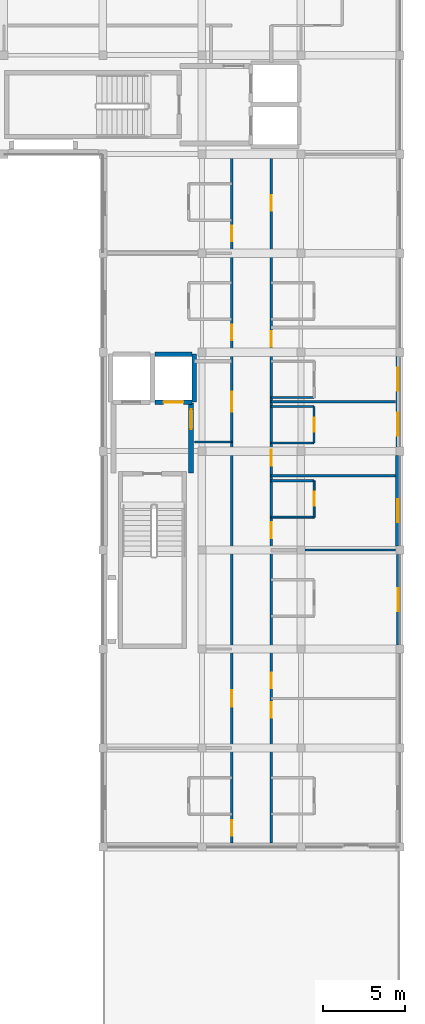
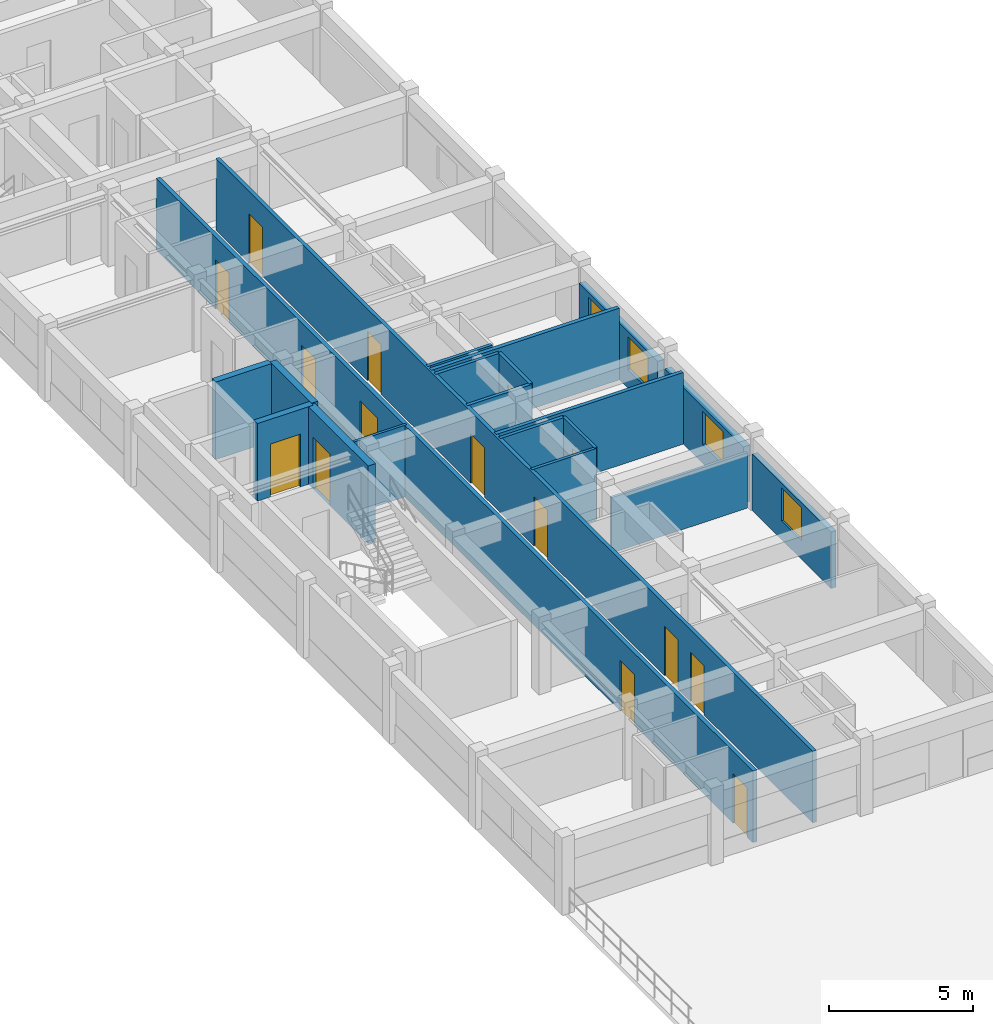
# One storey, part 5 of 14: 20 walls, 15 doors, 4 windows, 19 openings.
"""IFC4 building model written with IfcOpenShell, lengths in metres."""

from ifc_helpers import new_model, si_unit, direction, frame, frame_2d, origin, place, context, subcontext, project, spatial, rectangle, extrude, material, layer, layer_set, type_object, element, fill, save


model = new_model("IFC4")

# Units and contexts
model_context = context("Model", 3, precision=1e-05, world=origin(), true_north=direction((0.0, 1.0)))
body_context = subcontext(model_context, "Body", "Model", "MODEL_VIEW")
ifc_project = project(units=[si_unit("LENGTHUNIT", "METRE"), si_unit("AREAUNIT", "SQUARE_METRE"), si_unit("VOLUMEUNIT", "CUBIC_METRE"), si_unit("PLANEANGLEUNIT", "RADIAN"), si_unit("MASSUNIT", "GRAM", prefix="KILO"), si_unit("THERMODYNAMICTEMPERATUREUNIT", "KELVIN"), si_unit("POWERUNIT", "WATT")], contexts=[model_context])

# Site, building, storey
site_placement = place(None, origin())
site = spatial("IfcSite", under=ifc_project, at=site_placement, CompositionType="ELEMENT")
building_placement = place(site_placement, origin())
building = spatial("IfcBuilding", under=site, at=building_placement, Name="Phaisarnlok Congress Hotel", CompositionType="ELEMENT")
storey_placement = place(building_placement, frame((0.0, 0.0, 44.699951171875)))
storey = spatial("IfcBuildingStorey", under=building, at=storey_placement, Name="L11", CompositionType="ELEMENT", Elevation=44.699951171875)

# Wall, opening, window
ifc_material_1 = material(Name="Concrete C40/50", Category="concrete")
ifc_layer_1 = layer(ifc_material_1, 0.2099609375, Name="Concrete C40/50")
ifc_layer_set_1 = layer_set([ifc_layer_1], Name="Concrete C40/50")
wall_type_1 = type_object("IfcWallType", Name="WL-EXT-210", PredefinedType="SOLIDWALL", material=ifc_layer_set_1)
wall_1_placement = place(storey_placement, frame((179.89501953125, 78.2548828125, 0.0), z_axis=(0.0, 0.0, 1.0), x_axis=(0.0, 1.0, 0.0)))
wall_1 = element("IfcWall", 1, at=wall_1_placement, inside=storey, type_object=wall_type_1, Name="Exterior wall EW-07 (L11)", PredefinedType="SOLIDWALL", context=body_context, shape_type="SweptSolid", body=[
    extrude(rectangle(XDim=5.490234375, YDim=0.2099609375, at=frame_2d((2.7451171875, 0.0))), origin(), (0.0, 0.0, 1.0), 2.400146484375),
])
opening_1_placement = place(wall_1_placement, frame((2.044921875, 0.0, 0.800048828125)))
opening_1 = element("IfcOpeningElement", 2, at=opening_1_placement, cuts=wall_1, Name="Opening W-13", PredefinedType="OPENING", context=body_context, shape_type="SweptSolid", body=[
    extrude(rectangle(XDim=1.39990234375, YDim=1.39990234375, at=frame_2d((0.699951171875, 0.699951171875))), frame((0.0, 0.114990234375, 0.0), z_axis=(0.0, -1.0, 0.0), x_axis=(1.0, 0.0, 0.0)), (0.0, 0.0, 1.0), 0.22998046875),
])
ifc_material_2 = material(Name="Thermally Broken Aluminium & Low-E Double Glazing", Category="aluminium")
window_type = type_object("IfcWindowType", Name="WIN-POD-1400", PartitioningType="SINGLE_PANEL", PredefinedType="WINDOW", material=ifc_material_2)
window_1_placement = place(opening_1_placement, origin())
window_1 = element("IfcWindow", 3, at=window_1_placement, inside=storey, type_object=window_type, Name="Guestroom window W-13 (L11)", OverallHeight=1.39990234375, OverallWidth=1.39990234375, PartitioningType="SINGLE_PANEL", PredefinedType="WINDOW", context=body_context, shape_type="SweptSolid", body=[
    extrude(rectangle(XDim=1.39990234375, YDim=1.39990234375, at=frame_2d((0.699951171875, 0.699951171875))), frame((0.0, 0.030029296875, 0.0), z_axis=(0.0, -1.0, 0.0), x_axis=(1.0, 0.0, 0.0)), (0.0, 0.0, 1.0), 0.06005859375),
])
fill(opening_1, window_1)

# Wall, openings, windows
ifc_layer_2 = layer(ifc_material_1, 0.25, Name="Concrete C40/50")
ifc_layer_set_2 = layer_set([ifc_layer_2], Name="Concrete C40/50")
wall_type_2 = type_object("IfcWallType", Name="WL-EXT-250", PredefinedType="SOLIDWALL", material=ifc_layer_set_2)
wall_2_placement = place(storey_placement, frame((179.875, 90.2548828125, 0.0), z_axis=(0.0, 0.0, 1.0), x_axis=(0.0, 1.0, 0.0)))
wall_2 = element("IfcWall", 4, at=wall_2_placement, inside=storey, type_object=wall_type_2, Name="Exterior wall EW-05 (L11)", PredefinedType="SOLIDWALL", context=body_context, shape_type="SweptSolid", body=[
    extrude(rectangle(XDim=5.490234375, YDim=0.25, at=frame_2d((2.7451171875, 0.0))), origin(), (0.0, 0.0, 1.0), 2.400146484375),
])
opening_2_placement = place(wall_2_placement, frame((0.681884765625, 0.0, 0.800048828125)))
opening_2 = element("IfcOpeningElement", 5, at=opening_2_placement, cuts=wall_2, Name="Opening W-13", PredefinedType="OPENING", context=body_context, shape_type="SweptSolid", body=[
    extrude(rectangle(XDim=1.39990234375, YDim=1.39990234375, at=frame_2d((0.699951171875, 0.699951171875))), frame((0.0, 0.135009765625, 0.0), z_axis=(0.0, -1.0, 0.0), x_axis=(1.0, 0.0, 0.0)), (0.0, 0.0, 1.0), 0.27001953125),
])
opening_3_placement = place(wall_2_placement, frame((3.407958984375, 0.0, 0.800048828125)))
opening_3 = element("IfcOpeningElement", 6, at=opening_3_placement, cuts=wall_2, Name="Opening W-13", PredefinedType="OPENING", context=body_context, shape_type="SweptSolid", body=[
    extrude(rectangle(XDim=1.39990234375, YDim=1.39990234375, at=frame_2d((0.699951171875, 0.699951171875))), frame((0.0, 0.135009765625, 0.0), z_axis=(0.0, -1.0, 0.0), x_axis=(1.0, 0.0, 0.0)), (0.0, 0.0, 1.0), 0.27001953125),
])
window_2_placement = place(opening_2_placement, origin())
window_2 = element("IfcWindow", 7, at=window_2_placement, inside=storey, type_object=window_type, Name="Guestroom window W-13 (L11)", OverallHeight=1.39990234375, OverallWidth=1.39990234375, PartitioningType="SINGLE_PANEL", PredefinedType="WINDOW", context=body_context, shape_type="SweptSolid", body=[
    extrude(rectangle(XDim=1.39990234375, YDim=1.39990234375, at=frame_2d((0.699951171875, 0.699951171875))), frame((0.0, 0.030029296875, 0.0), z_axis=(0.0, -1.0, 0.0), x_axis=(1.0, 0.0, 0.0)), (0.0, 0.0, 1.0), 0.06005859375),
])
fill(opening_2, window_2)
window_3_placement = place(opening_3_placement, origin())
window_3 = element("IfcWindow", 8, at=window_3_placement, inside=storey, type_object=window_type, Name="Guestroom window W-13 (L11)", OverallHeight=1.39990234375, OverallWidth=1.39990234375, PartitioningType="SINGLE_PANEL", PredefinedType="WINDOW", context=body_context, shape_type="SweptSolid", body=[
    extrude(rectangle(XDim=1.39990234375, YDim=1.39990234375, at=frame_2d((0.699951171875, 0.699951171875))), frame((0.0, 0.030029296875, 0.0), z_axis=(0.0, -1.0, 0.0), x_axis=(1.0, 0.0, 0.0)), (0.0, 0.0, 1.0), 0.06005859375),
])
fill(opening_3, window_3)

# Wall, opening, window
ifc_layer_3 = layer(ifc_material_1, 0.27001953125, Name="Concrete C40/50")
ifc_layer_set_3 = layer_set([ifc_layer_3], Name="Concrete C40/50")
wall_type_3 = type_object("IfcWallType", Name="WL-EXT-270", PredefinedType="SOLIDWALL", material=ifc_layer_set_3)
wall_3_placement = place(storey_placement, frame((179.864990234375, 84.2548828125, 0.0), z_axis=(0.0, 0.0, 1.0), x_axis=(0.0, 1.0, 0.0)))
wall_3 = element("IfcWall", 9, at=wall_3_placement, inside=storey, type_object=wall_type_3, Name="Exterior wall EW-04 (L11)", PredefinedType="SOLIDWALL", context=body_context, shape_type="SweptSolid", body=[
    extrude(rectangle(XDim=5.490234375, YDim=0.27001953125, at=frame_2d((2.7451171875, 0.0))), origin(), (0.0, 0.0, 1.0), 2.400146484375),
])
opening_4_placement = place(wall_3_placement, frame((1.431884765625, 0.0, 0.800048828125)))
opening_4 = element("IfcOpeningElement", 10, at=opening_4_placement, cuts=wall_3, Name="Opening W-13", PredefinedType="OPENING", context=body_context, shape_type="SweptSolid", body=[
    extrude(rectangle(XDim=1.39990234375, YDim=1.39990234375, at=frame_2d((0.699951171875, 0.699951171875))), frame((0.0, 0.14501953125, 0.0), z_axis=(0.0, -1.0, 0.0), x_axis=(1.0, 0.0, 0.0)), (0.0, 0.0, 1.0), 0.2900390625),
])
window_4_placement = place(opening_4_placement, origin())
window_4 = element("IfcWindow", 11, at=window_4_placement, inside=storey, type_object=window_type, Name="Guestroom window W-13 (L11)", OverallHeight=1.39990234375, OverallWidth=1.39990234375, PartitioningType="SINGLE_PANEL", PredefinedType="WINDOW", context=body_context, shape_type="SweptSolid", body=[
    extrude(rectangle(XDim=1.39990234375, YDim=1.39990234375, at=frame_2d((0.699951171875, 0.699951171875))), frame((0.0, 0.030029296875, 0.0), z_axis=(0.0, -1.0, 0.0), x_axis=(1.0, 0.0, 0.0)), (0.0, 0.0, 1.0), 0.06005859375),
])
fill(opening_4, window_4)

# Walls
ifc_material_3 = material(Name="Service Riser Shaftwall Partition", Category="gypsum")
ifc_layer_4 = layer(ifc_material_3, 0.10498046875, Name="Service Riser Shaftwall Partition")
ifc_layer_set_4 = layer_set([ifc_layer_4], Name="Service Riser Shaftwall Partition")
wall_type_4 = type_object("IfcWallType", Name="WL-INT-105", PredefinedType="PARTITIONING", material=ifc_layer_set_4)
wall_4_placement = place(storey_placement, frame((174.2548828125, 84.0, 0.0), z_axis=(0.0, 0.0, 1.0), x_axis=(1.0, 0.0, 0.0)))
element("IfcWall", 12, at=wall_4_placement, inside=storey, type_object=wall_type_4, Name="Interior partition wall IW-08 (L11)", PredefinedType="PARTITIONING", context=body_context, shape_type="SweptSolid", body=[
    extrude(rectangle(XDim=5.465087890625, YDim=0.10498046875, at=frame_2d((2.732421875, 0.0))), origin(), (0.0, 0.0, 1.0), 2.35009765625),
])
wall_5_placement = place(storey_placement, frame((167.56005859375, 90.550048828125, 0.0), z_axis=(0.0, 0.0, 1.0), x_axis=(1.0, 0.0, 0.0)))
element("IfcWall", 13, at=wall_5_placement, inside=storey, type_object=wall_type_4, Name="Interior partition wall IW-08 (L11)", PredefinedType="PARTITIONING", context=body_context, shape_type="SweptSolid", body=[
    extrude(rectangle(XDim=2.239990234375, YDim=0.10498046875, at=frame_2d((1.1201171875, 0.0))), origin(), (0.0, 0.0, 1.0), 3.050048828125),
])

# Wall, opening, door
ifc_material_4 = material(Name="Lightweight Metal-Stud Gypsum Partition", Category="gypsum")
ifc_layer_5 = layer(ifc_material_4, 0.1201171875, Name="Lightweight Metal-Stud Gypsum Partition")
ifc_layer_set_5 = layer_set([ifc_layer_5], Name="Lightweight Metal-Stud Gypsum Partition")
wall_type_5 = type_object("IfcWallType", Name="WL-INT-120", PredefinedType="PARTITIONING", material=ifc_layer_set_5)
wall_6_placement = place(storey_placement, frame((174.800048828125, 86.0, 0.0), z_axis=(0.0, 0.0, 1.0), x_axis=(0.0, 1.0, 0.0)))
wall_6 = element("IfcWall", 14, at=wall_6_placement, inside=storey, type_object=wall_type_5, Name="Interior partition wall IW-07 (L11)", PredefinedType="PARTITIONING", context=body_context, shape_type="SweptSolid", body=[
    extrude(rectangle(XDim=2.199951171875, YDim=0.1201171875, at=frame_2d((1.10009765625, 0.0))), origin(), (0.0, 0.0, 1.0), 3.050048828125),
])
opening_5_placement = place(wall_6_placement, frame((0.675048828125, 0.0, 0.0)))
opening_5 = element("IfcOpeningElement", 15, at=opening_5_placement, cuts=wall_6, Name="Opening D-0658", PredefinedType="OPENING", context=body_context, shape_type="SweptSolid", body=[
    extrude(rectangle(XDim=0.85009765625, YDim=2.10009765625, at=frame_2d((0.425048828125, 1.050048828125))), frame((0.0, 0.070068359375, 0.0), z_axis=(0.0, -1.0, 0.0), x_axis=(1.0, 0.0, 0.0)), (0.0, 0.0, 1.0), 0.14013671875),
])
ifc_material_5 = material(Name="Moisture-Resistant Lacquered Timber", Category="wood")
door_type_1 = type_object("IfcDoorType", Name="DR-BATH-850", OperationType="NOTDEFINED", PredefinedType="DOOR", material=ifc_material_5)
door_1_placement = place(opening_5_placement, origin())
door_1 = element("IfcDoor", 16, at=door_1_placement, inside=storey, type_object=door_type_1, Name="Interior door D-0658 (L11)", OperationType="SINGLE_SWING_RIGHT", OverallHeight=2.10009765625, OverallWidth=0.85009765625, PredefinedType="DOOR", context=body_context, shape_type="SweptSolid", body=[
    extrude(rectangle(XDim=0.85009765625, YDim=2.10009765625, at=frame_2d((0.425048828125, 1.050048828125))), frame((0.0, 0.02490234375, 0.0), z_axis=(0.0, -1.0, 0.0), x_axis=(1.0, 0.0, 0.0)), (0.0, 0.0, 1.0), 0.050048828125),
])
fill(opening_5, door_1)

# Wall
wall_7_placement = place(storey_placement, frame((172.199951171875, 86.0, 0.0), z_axis=(0.0, 0.0, 1.0), x_axis=(1.0, 0.0, 0.0)))
element("IfcWall", 17, at=wall_7_placement, inside=storey, type_object=wall_type_5, Name="Interior partition wall IW-07 (L11)", PredefinedType="PARTITIONING", context=body_context, shape_type="SweptSolid", body=[
    extrude(rectangle(XDim=2.60009765625, YDim=0.1201171875, at=frame_2d((1.300048828125, 0.0))), origin(), (0.0, 0.0, 1.0), 3.050048828125),
])

# Wall, opening, door
ifc_material_6 = material(Name="Moisture-Resistant Gypsum Partition", Category="gypsum")
ifc_layer_6 = layer(ifc_material_6, 0.135009765625, Name="Moisture-Resistant Gypsum Partition")
ifc_layer_set_6 = layer_set([ifc_layer_6], Name="Moisture-Resistant Gypsum Partition")
wall_type_6 = type_object("IfcWallType", Name="WL-INT-135", PredefinedType="PARTITIONING", material=ifc_layer_set_6)
wall_8_placement = place(storey_placement, frame((174.800048828125, 90.5, 0.0), z_axis=(0.0, 0.0, 1.0), x_axis=(0.0, 1.0, 0.0)))
wall_8 = element("IfcWall", 18, at=wall_8_placement, inside=storey, type_object=wall_type_6, Name="Interior partition wall IW-06 (L11)", PredefinedType="PARTITIONING", context=body_context, shape_type="SweptSolid", body=[
    extrude(rectangle(XDim=2.199951171875, YDim=0.135009765625, at=frame_2d((1.10009765625, 0.0))), origin(), (0.0, 0.0, 1.0), 3.050048828125),
])
opening_6_placement = place(wall_8_placement, frame((0.675048828125, 0.0, 0.0)))
opening_6 = element("IfcOpeningElement", 19, at=opening_6_placement, cuts=wall_8, Name="Opening D-0660", PredefinedType="OPENING", context=body_context, shape_type="SweptSolid", body=[
    extrude(rectangle(XDim=0.85009765625, YDim=2.10009765625, at=frame_2d((0.425048828125, 1.050048828125))), frame((0.0, 0.07763671875, 0.0), z_axis=(0.0, -1.0, 0.0), x_axis=(1.0, 0.0, 0.0)), (0.0, 0.0, 1.0), 0.155029296875),
])
door_2_placement = place(opening_6_placement, origin())
door_2 = element("IfcDoor", 20, at=door_2_placement, inside=storey, type_object=door_type_1, Name="Interior door D-0660 (L11)", OperationType="SINGLE_SWING_RIGHT", OverallHeight=2.10009765625, OverallWidth=0.85009765625, PredefinedType="DOOR", context=body_context, shape_type="SweptSolid", body=[
    extrude(rectangle(XDim=0.85009765625, YDim=2.10009765625, at=frame_2d((0.425048828125, 1.050048828125))), frame((0.0, 0.02490234375, 0.0), z_axis=(0.0, -1.0, 0.0), x_axis=(1.0, 0.0, 0.0)), (0.0, 0.0, 1.0), 0.050048828125),
])
fill(opening_6, door_2)

# Walls
for number, where, z_axis, x_axis, name in (
    (21, (172.199951171875, 88.199951171875, 0.0), (0.0, 0.0, 1.0), (1.0, 0.0, 0.0), "Interior partition wall IW-06 (L11)"),
    (22, (172.199951171875, 90.5, 0.0), (0.0, 0.0, 1.0), (1.0, 0.0, 0.0), "Interior partition wall IW-06 (L11)"),
    (23, (172.199951171875, 92.699951171875, 0.0), (0.0, 0.0, 1.0), (1.0, 0.0, 0.0), "Interior partition wall IW-06 (L11)"),
    (24, (172.199951171875, 93.25, 0.0), (0.0, 0.0, 1.0), (1.0, 0.0, 0.0), "Interior partition wall IW-06 (L11)"),
):
    element("IfcWall", number, at=place(storey_placement, frame(where, z_axis=z_axis, x_axis=x_axis)), inside=storey, type_object=wall_type_6, Name=name, PredefinedType="PARTITIONING", context=body_context, shape_type="SweptSolid", body=[
        extrude(rectangle(XDim=2.60009765625, YDim=0.135009765625, at=frame_2d((1.300048828125, 0.0))), origin(), (0.0, 0.0, 1.0), 3.050048828125),
    ])

# Wall, openings, doors
ifc_material_7 = material(Name="Acoustic Gypsum Board & Mineral Wool", Category="gypsum")
ifc_layer_7 = layer(ifc_material_7, 0.14990234375, Name="Acoustic Gypsum Board & Mineral Wool")
ifc_layer_set_7 = layer_set([ifc_layer_7], Name="Acoustic Gypsum Board & Mineral Wool")
wall_type_7 = type_object("IfcWallType", Name="WL-INT-150", PredefinedType="PARTITIONING", material=ifc_layer_set_7)
wall_9_placement = place(storey_placement, frame((172.199951171875, 66.2548828125, 0.0), z_axis=(0.0, 0.0, 1.0), x_axis=(0.0, 1.0, 0.0)))
wall_9 = element("IfcWall", 25, at=wall_9_placement, inside=storey, type_object=wall_type_7, Name="Interior partition wall IW-05 (L11)", PredefinedType="PARTITIONING", context=body_context, shape_type="SweptSolid", body=[
    extrude(rectangle(XDim=41.565185546875, YDim=0.14990234375, at=frame_2d((20.78271484375, 0.0))), origin(), (0.0, 0.0, 1.0), 3.050048828125),
])
opening_7_placement = place(wall_9_placement, frame((7.570068359375, 0.0, 0.0)))
opening_7 = element("IfcOpeningElement", 26, at=opening_7_placement, cuts=wall_9, Name="Opening D-0655", PredefinedType="OPENING", context=body_context, shape_type="SweptSolid", body=[
    extrude(rectangle(XDim=0.949951171875, YDim=2.10009765625, at=frame_2d((0.47509765625, 1.050048828125))), frame((0.0, 0.0849609375, 0.0), z_axis=(0.0, -1.0, 0.0), x_axis=(1.0, 0.0, 0.0)), (0.0, 0.0, 1.0), 0.169921875),
])
opening_8_placement = place(wall_9_placement, frame((9.3701171875, 0.0, 0.0)))
opening_8 = element("IfcOpeningElement", 27, at=opening_8_placement, cuts=wall_9, Name="Opening D-0657", PredefinedType="OPENING", context=body_context, shape_type="SweptSolid", body=[
    extrude(rectangle(XDim=0.949951171875, YDim=2.10009765625, at=frame_2d((0.47509765625, 1.050048828125))), frame((0.0, 0.0849609375, 0.0), z_axis=(0.0, -1.0, 0.0), x_axis=(1.0, 0.0, 0.0)), (0.0, 0.0, 1.0), 0.169921875),
])
opening_9_placement = place(wall_9_placement, frame((18.469970703125, 0.0, 0.0)))
opening_9 = element("IfcOpeningElement", 28, at=opening_9_placement, cuts=wall_9, Name="Opening D-0659", PredefinedType="OPENING", context=body_context, shape_type="SweptSolid", body=[
    extrude(rectangle(XDim=0.949951171875, YDim=2.10009765625, at=frame_2d((0.47509765625, 1.050048828125))), frame((0.0, 0.0849609375, 0.0), z_axis=(0.0, -1.0, 0.0), x_axis=(1.0, 0.0, 0.0)), (0.0, 0.0, 1.0), 0.169921875),
])
opening_10_placement = place(wall_9_placement, frame((22.8701171875, 0.0, 0.0)))
opening_10 = element("IfcOpeningElement", 29, at=opening_10_placement, cuts=wall_9, Name="Opening D-0661", PredefinedType="OPENING", context=body_context, shape_type="SweptSolid", body=[
    extrude(rectangle(XDim=0.949951171875, YDim=2.10009765625, at=frame_2d((0.47509765625, 1.050048828125))), frame((0.0, 0.0849609375, 0.0), z_axis=(0.0, -1.0, 0.0), x_axis=(1.0, 0.0, 0.0)), (0.0, 0.0, 1.0), 0.169921875),
])
opening_11_placement = place(wall_9_placement, frame((30.070068359375, 0.0, 0.0)))
opening_11 = element("IfcOpeningElement", 30, at=opening_11_placement, cuts=wall_9, Name="Opening D-0663", PredefinedType="OPENING", context=body_context, shape_type="SweptSolid", body=[
    extrude(rectangle(XDim=0.949951171875, YDim=2.10009765625, at=frame_2d((0.47509765625, 1.050048828125))), frame((0.0, 0.0849609375, 0.0), z_axis=(0.0, -1.0, 0.0), x_axis=(1.0, 0.0, 0.0)), (0.0, 0.0, 1.0), 0.169921875),
])
opening_12_placement = place(wall_9_placement, frame((38.320068359375, 0.0, 0.0)))
opening_12 = element("IfcOpeningElement", 31, at=opening_12_placement, cuts=wall_9, Name="Opening D-0665", PredefinedType="OPENING", context=body_context, shape_type="SweptSolid", body=[
    extrude(rectangle(XDim=0.949951171875, YDim=2.10009765625, at=frame_2d((0.47509765625, 1.050048828125))), frame((0.0, 0.0849609375, 0.0), z_axis=(0.0, -1.0, 0.0), x_axis=(1.0, 0.0, 0.0)), (0.0, 0.0, 1.0), 0.169921875),
])
ifc_material_8 = material(Name="Acoustic Solid-Core Teak Veneer", Category="wood")
door_type_2 = type_object("IfcDoorType", Name="DR-FD30-950", OperationType="NOTDEFINED", PredefinedType="DOOR", material=ifc_material_8)
door_3_placement = place(opening_7_placement, origin())
door_3 = element("IfcDoor", 32, at=door_3_placement, inside=storey, type_object=door_type_2, Name="Interior door D-0655 (L11)", OperationType="SINGLE_SWING_LEFT", OverallHeight=2.10009765625, OverallWidth=0.949951171875, PredefinedType="DOOR", context=body_context, shape_type="SweptSolid", body=[
    extrude(rectangle(XDim=0.949951171875, YDim=2.10009765625, at=frame_2d((0.47509765625, 1.050048828125))), frame((0.0, 0.02490234375, 0.0), z_axis=(0.0, -1.0, 0.0), x_axis=(1.0, 0.0, 0.0)), (0.0, 0.0, 1.0), 0.050048828125),
])
fill(opening_7, door_3)
door_4_placement = place(opening_8_placement, origin())
door_4 = element("IfcDoor", 33, at=door_4_placement, inside=storey, type_object=door_type_2, Name="Interior door D-0657 (L11)", OperationType="SINGLE_SWING_LEFT", OverallHeight=2.10009765625, OverallWidth=0.949951171875, PredefinedType="DOOR", context=body_context, shape_type="SweptSolid", body=[
    extrude(rectangle(XDim=0.949951171875, YDim=2.10009765625, at=frame_2d((0.47509765625, 1.050048828125))), frame((0.0, 0.02490234375, 0.0), z_axis=(0.0, -1.0, 0.0), x_axis=(1.0, 0.0, 0.0)), (0.0, 0.0, 1.0), 0.050048828125),
])
fill(opening_8, door_4)
door_5_placement = place(opening_9_placement, origin())
door_5 = element("IfcDoor", 34, at=door_5_placement, inside=storey, type_object=door_type_2, Name="Interior door D-0659 (L11)", OperationType="SINGLE_SWING_LEFT", OverallHeight=2.10009765625, OverallWidth=0.949951171875, PredefinedType="DOOR", context=body_context, shape_type="SweptSolid", body=[
    extrude(rectangle(XDim=0.949951171875, YDim=2.10009765625, at=frame_2d((0.47509765625, 1.050048828125))), frame((0.0, 0.02490234375, 0.0), z_axis=(0.0, -1.0, 0.0), x_axis=(1.0, 0.0, 0.0)), (0.0, 0.0, 1.0), 0.050048828125),
])
fill(opening_9, door_5)
door_6_placement = place(opening_10_placement, origin())
door_6 = element("IfcDoor", 35, at=door_6_placement, inside=storey, type_object=door_type_2, Name="Interior door D-0661 (L11)", OperationType="SINGLE_SWING_LEFT", OverallHeight=2.10009765625, OverallWidth=0.949951171875, PredefinedType="DOOR", context=body_context, shape_type="SweptSolid", body=[
    extrude(rectangle(XDim=0.949951171875, YDim=2.10009765625, at=frame_2d((0.47509765625, 1.050048828125))), frame((0.0, 0.02490234375, 0.0), z_axis=(0.0, -1.0, 0.0), x_axis=(1.0, 0.0, 0.0)), (0.0, 0.0, 1.0), 0.050048828125),
])
fill(opening_10, door_6)
door_7_placement = place(opening_11_placement, origin())
door_7 = element("IfcDoor", 36, at=door_7_placement, inside=storey, type_object=door_type_2, Name="Interior door D-0663 (L11)", OperationType="SINGLE_SWING_LEFT", OverallHeight=2.10009765625, OverallWidth=0.949951171875, PredefinedType="DOOR", context=body_context, shape_type="SweptSolid", body=[
    extrude(rectangle(XDim=0.949951171875, YDim=2.10009765625, at=frame_2d((0.47509765625, 1.050048828125))), frame((0.0, 0.02490234375, 0.0), z_axis=(0.0, -1.0, 0.0), x_axis=(1.0, 0.0, 0.0)), (0.0, 0.0, 1.0), 0.050048828125),
])
fill(opening_11, door_7)
door_8_placement = place(opening_12_placement, origin())
door_8 = element("IfcDoor", 37, at=door_8_placement, inside=storey, type_object=door_type_2, Name="Interior door D-0665 (L11)", OperationType="SINGLE_SWING_LEFT", OverallHeight=2.10009765625, OverallWidth=0.949951171875, PredefinedType="DOOR", context=body_context, shape_type="SweptSolid", body=[
    extrude(rectangle(XDim=0.949951171875, YDim=2.10009765625, at=frame_2d((0.47509765625, 1.050048828125))), frame((0.0, 0.02490234375, 0.0), z_axis=(0.0, -1.0, 0.0), x_axis=(1.0, 0.0, 0.0)), (0.0, 0.0, 1.0), 0.050048828125),
])
fill(opening_12, door_8)

# Wall
wall_10_placement = place(storey_placement, frame((172.199951171875, 88.5, 0.0), z_axis=(0.0, 0.0, 1.0), x_axis=(1.0, 0.0, 0.0)))
element("IfcWall", 38, at=wall_10_placement, inside=storey, type_object=wall_type_7, Name="Interior partition wall IW-05 (L11)", PredefinedType="PARTITIONING", context=body_context, shape_type="SweptSolid", body=[
    extrude(rectangle(XDim=7.525146484375, YDim=0.14990234375, at=frame_2d((3.7626953125, 0.0))), origin(), (0.0, 0.0, 1.0), 3.050048828125),
])

# Wall, openings, doors
ifc_material_9 = material(Name="Double-Stud Acoustic Gypsum Partition", Category="gypsum")
ifc_layer_8 = layer(ifc_material_9, 0.159912109375, Name="Double-Stud Acoustic Gypsum Partition")
ifc_layer_set_8 = layer_set([ifc_layer_8], Name="Double-Stud Acoustic Gypsum Partition")
wall_type_8 = type_object("IfcWallType", Name="WL-INT-160", PredefinedType="PARTITIONING", material=ifc_layer_set_8)
wall_11_placement = place(storey_placement, frame((169.800048828125, 66.2548828125, 0.0), z_axis=(0.0, 0.0, 1.0), x_axis=(0.0, 1.0, 0.0)))
wall_11 = element("IfcWall", 39, at=wall_11_placement, inside=storey, type_object=wall_type_8, Name="Interior partition wall IW-04 (L11)", PredefinedType="PARTITIONING", context=body_context, shape_type="SweptSolid", body=[
    extrude(rectangle(XDim=41.565185546875, YDim=0.159912109375, at=frame_2d((20.78271484375, 0.0))), origin(), (0.0, 0.0, 1.0), 3.050048828125),
])
opening_13_placement = place(wall_11_placement, frame((26.14501953125, 0.0, 0.0)))
opening_13 = element("IfcOpeningElement", 40, at=opening_13_placement, cuts=wall_11, Name="Opening D-0624", PredefinedType="OPENING", context=body_context, shape_type="SweptSolid", body=[
    extrude(rectangle(XDim=1.199951171875, YDim=2.199951171875, at=frame_2d((0.60009765625, 1.10009765625))), frame((0.0, 0.08984375, 0.0), z_axis=(0.0, -1.0, 0.0), x_axis=(1.0, 0.0, 0.0)), (0.0, 0.0, 1.0), 0.179931640625),
])
opening_14_placement = place(wall_11_placement, frame((8.2451171875, 0.0, 0.0)))
opening_14 = element("IfcOpeningElement", 41, at=opening_14_placement, cuts=wall_11, Name="Opening D-0627", PredefinedType="OPENING", context=body_context, shape_type="SweptSolid", body=[
    extrude(rectangle(XDim=1.0, YDim=2.14990234375, at=frame_2d((0.5, 1.074951171875))), frame((0.0, 0.08984375, 0.0), z_axis=(0.0, -1.0, 0.0), x_axis=(1.0, 0.0, 0.0)), (0.0, 0.0, 1.0), 0.179931640625),
])
opening_15_placement = place(wall_11_placement, frame((0.419921875, 0.0, 0.0)))
opening_15 = element("IfcOpeningElement", 42, at=opening_15_placement, cuts=wall_11, Name="Opening D-0668", PredefinedType="OPENING", context=body_context, shape_type="SweptSolid", body=[
    extrude(rectangle(XDim=0.949951171875, YDim=2.10009765625, at=frame_2d((0.47509765625, 1.050048828125))), frame((0.0, 0.08984375, 0.0), z_axis=(0.0, -1.0, 0.0), x_axis=(1.0, 0.0, 0.0)), (0.0, 0.0, 1.0), 0.179931640625),
])
opening_16_placement = place(wall_11_placement, frame((30.469970703125, 0.0, 0.0)))
opening_16 = element("IfcOpeningElement", 43, at=opening_16_placement, cuts=wall_11, Name="Opening D-0670", PredefinedType="OPENING", context=body_context, shape_type="SweptSolid", body=[
    extrude(rectangle(XDim=0.949951171875, YDim=2.10009765625, at=frame_2d((0.47509765625, 1.050048828125))), frame((0.0, 0.08984375, 0.0), z_axis=(0.0, -1.0, 0.0), x_axis=(1.0, 0.0, 0.0)), (0.0, 0.0, 1.0), 0.179931640625),
])
opening_17_placement = place(wall_11_placement, frame((36.469970703125, 0.0, 0.0)))
opening_17 = element("IfcOpeningElement", 44, at=opening_17_placement, cuts=wall_11, Name="Opening D-0672", PredefinedType="OPENING", context=body_context, shape_type="SweptSolid", body=[
    extrude(rectangle(XDim=0.949951171875, YDim=2.10009765625, at=frame_2d((0.47509765625, 1.050048828125))), frame((0.0, 0.08984375, 0.0), z_axis=(0.0, -1.0, 0.0), x_axis=(1.0, 0.0, 0.0)), (0.0, 0.0, 1.0), 0.179931640625),
])
door_9_placement = place(opening_15_placement, origin())
door_9 = element("IfcDoor", 45, at=door_9_placement, inside=storey, type_object=door_type_2, Name="Interior door D-0668 (L11)", OperationType="SINGLE_SWING_RIGHT", OverallHeight=2.10009765625, OverallWidth=0.949951171875, PredefinedType="DOOR", context=body_context, shape_type="SweptSolid", body=[
    extrude(rectangle(XDim=0.949951171875, YDim=2.10009765625, at=frame_2d((0.47509765625, 1.050048828125))), frame((0.0, 0.02490234375, 0.0), z_axis=(0.0, -1.0, 0.0), x_axis=(1.0, 0.0, 0.0)), (0.0, 0.0, 1.0), 0.050048828125),
])
fill(opening_15, door_9)
door_10_placement = place(opening_16_placement, origin())
door_10 = element("IfcDoor", 46, at=door_10_placement, inside=storey, type_object=door_type_2, Name="Interior door D-0670 (L11)", OperationType="SINGLE_SWING_RIGHT", OverallHeight=2.10009765625, OverallWidth=0.949951171875, PredefinedType="DOOR", context=body_context, shape_type="SweptSolid", body=[
    extrude(rectangle(XDim=0.949951171875, YDim=2.10009765625, at=frame_2d((0.47509765625, 1.050048828125))), frame((0.0, 0.02490234375, 0.0), z_axis=(0.0, -1.0, 0.0), x_axis=(1.0, 0.0, 0.0)), (0.0, 0.0, 1.0), 0.050048828125),
])
fill(opening_16, door_10)
door_11_placement = place(opening_17_placement, origin())
door_11 = element("IfcDoor", 47, at=door_11_placement, inside=storey, type_object=door_type_2, Name="Interior door D-0672 (L11)", OperationType="SINGLE_SWING_RIGHT", OverallHeight=2.10009765625, OverallWidth=0.949951171875, PredefinedType="DOOR", context=body_context, shape_type="SweptSolid", body=[
    extrude(rectangle(XDim=0.949951171875, YDim=2.10009765625, at=frame_2d((0.47509765625, 1.050048828125))), frame((0.0, 0.02490234375, 0.0), z_axis=(0.0, -1.0, 0.0), x_axis=(1.0, 0.0, 0.0)), (0.0, 0.0, 1.0), 0.050048828125),
])
fill(opening_17, door_11)
ifc_material_10 = material(Name="Fire-Rated Steel Frame & Timber Leaf", Category="steel")
door_type_3 = type_object("IfcDoorType", Name="DR-FD60-1200", OperationType="NOTDEFINED", PredefinedType="DOOR", material=ifc_material_10)
door_12_placement = place(opening_13_placement, origin())
door_12 = element("IfcDoor", 48, at=door_12_placement, inside=storey, type_object=door_type_3, Name="Interior door D-0624 (L11)", OperationType="SINGLE_SWING_RIGHT", OverallHeight=2.199951171875, OverallWidth=1.199951171875, PredefinedType="DOOR", context=body_context, shape_type="SweptSolid", body=[
    extrude(rectangle(XDim=1.199951171875, YDim=2.199951171875, at=frame_2d((0.60009765625, 1.10009765625))), frame((0.0, 0.02490234375, 0.0), z_axis=(0.0, -1.0, 0.0), x_axis=(1.0, 0.0, 0.0)), (0.0, 0.0, 1.0), 0.050048828125),
])
fill(opening_13, door_12)
ifc_material_11 = material(Name="Solid-Core Oak Veneer", Category="wood")
door_type_4 = type_object("IfcDoorType", Name="DR-INT-1000", OperationType="NOTDEFINED", PredefinedType="DOOR", material=ifc_material_11)
door_13_placement = place(opening_14_placement, origin())
door_13 = element("IfcDoor", 49, at=door_13_placement, inside=storey, type_object=door_type_4, Name="Interior door D-0627 (L11)", OperationType="SINGLE_SWING_LEFT", OverallHeight=2.14990234375, OverallWidth=1.0, PredefinedType="DOOR", context=body_context, shape_type="SweptSolid", body=[
    extrude(rectangle(XDim=1.0, YDim=2.14990234375, at=frame_2d((0.5, 1.074951171875))), frame((0.0, 0.02490234375, 0.0), z_axis=(0.0, -1.0, 0.0), x_axis=(1.0, 0.0, 0.0)), (0.0, 0.0, 1.0), 0.050048828125),
])
fill(opening_14, door_13)

# Walls
wall_12_placement = place(storey_placement, frame((172.199951171875, 93.0, 0.0), z_axis=(0.0, 0.0, 1.0), x_axis=(1.0, 0.0, 0.0)))
element("IfcWall", 50, at=wall_12_placement, inside=storey, type_object=wall_type_8, Name="Interior partition wall IW-04 (L11)", PredefinedType="PARTITIONING", context=body_context, shape_type="SweptSolid", body=[
    extrude(rectangle(XDim=7.545166015625, YDim=0.159912109375, at=frame_2d((3.7724609375, 0.0))), origin(), (0.0, 0.0, 1.0), 3.050048828125),
])
ifc_material_12 = material(Name="Concrete C50/60", Category="concrete")
ifc_layer_9 = layer(ifc_material_12, 0.260009765625, Name="Concrete C50/60")
ifc_layer_set_9 = layer_set([ifc_layer_9], Name="Concrete C50/60")
wall_type_9 = type_object("IfcWallType", Name="WL-SHR-260", PredefinedType="SHEAR", material=ifc_layer_set_9)
wall_13_placement = place(storey_placement, frame((167.530029296875, 92.969970703125, 0.0), z_axis=(0.0, 0.0, 1.0), x_axis=(0.0, 1.0, 0.0)))
element("IfcWall", 51, at=wall_13_placement, inside=storey, type_object=wall_type_9, Name="Lift shaft shear wall SW-04 (LF-SV1 L11)", PredefinedType="SHEAR", context=body_context, shape_type="SweptSolid", body=[
    extrude(rectangle(XDim=2.909912109375, YDim=0.260009765625, at=frame_2d((1.455078125, 0.0))), origin(), (0.0, 0.0, 1.0), 3.300048828125),
])
wall_14_placement = place(storey_placement, frame((165.14990234375, 95.8798828125, 0.0), z_axis=(0.0, 0.0, 1.0), x_axis=(1.0, 0.0, 0.0)))
element("IfcWall", 52, at=wall_14_placement, inside=storey, type_object=wall_type_9, Name="Lift shaft shear wall SW-04 (LF-SV1 L11)", PredefinedType="SHEAR", context=body_context, shape_type="SweptSolid", body=[
    extrude(rectangle(XDim=2.25, YDim=0.260009765625, at=frame_2d((1.125, 0.0))), origin(), (0.0, 0.0, 1.0), 3.300048828125),
])

# Wall, opening, door
wall_15_placement = place(storey_placement, frame((165.14990234375, 92.969970703125, 0.0), z_axis=(0.0, 0.0, 1.0), x_axis=(1.0, 0.0, 0.0)))
wall_15 = element("IfcWall", 53, at=wall_15_placement, inside=storey, type_object=wall_type_9, Name="Lift shaft front wall SW-04 (LF-SV1 L11)", PredefinedType="SHEAR", context=body_context, shape_type="SweptSolid", body=[
    extrude(rectangle(XDim=2.25, YDim=0.260009765625, at=frame_2d((1.125, 0.0))), origin(), (0.0, 0.0, 1.0), 3.300048828125),
])
opening_18_placement = place(wall_15_placement, frame((0.52490234375, 0.0, 0.0)))
opening_18 = element("IfcOpeningElement", 54, at=opening_18_placement, cuts=wall_15, Name="Opening LD-088", PredefinedType="OPENING", context=body_context, shape_type="SweptSolid", body=[
    extrude(rectangle(XDim=1.199951171875, YDim=2.25, at=frame_2d((0.60009765625, 1.125))), frame((0.0, 0.14013671875, 0.0), z_axis=(0.0, -1.0, 0.0), x_axis=(1.0, 0.0, 0.0)), (0.0, 0.0, 1.0), 0.280029296875),
])
ifc_material_13 = material(Name="Brushed Stainless Steel Grade 304", Category="steel")
door_type_5 = type_object("IfcDoorType", Name="DR-LD-1200", OperationType="DOUBLE_DOOR_SLIDING", PredefinedType="DOOR", material=ifc_material_13)
door_14_placement = place(opening_18_placement, origin())
door_14 = element("IfcDoor", 55, at=door_14_placement, inside=storey, type_object=door_type_5, Name="Lift landing sliding door LD-088 (LF-SV1 L11)", OperationType="DOUBLE_DOOR_SLIDING", OverallHeight=2.25, OverallWidth=1.199951171875, PredefinedType="DOOR", context=body_context, shape_type="SweptSolid", body=[
    extrude(rectangle(XDim=1.199951171875, YDim=2.25, at=frame_2d((0.60009765625, 1.125))), frame((0.0, 0.02490234375, 0.0), z_axis=(0.0, -1.0, 0.0), x_axis=(1.0, 0.0, 0.0)), (0.0, 0.0, 1.0), 0.050048828125),
])
fill(opening_18, door_14)

ifc_layer_10 = layer(ifc_material_12, 0.300048828125, Name="Concrete C50/60")
ifc_layer_set_10 = layer_set([ifc_layer_10], Name="Concrete C50/60")
wall_type_10 = type_object("IfcWallType", Name="WL-SHR-300", PredefinedType="SHEAR", material=ifc_layer_set_10)
wall_16_placement = place(storey_placement, frame((167.35009765625, 88.679931640625, 0.0), z_axis=(0.0, 0.0, 1.0), x_axis=(0.0, 1.0, 0.0)))
wall_16 = element("IfcWall", 56, at=wall_16_placement, inside=storey, type_object=wall_type_10, Name="Core lobby EI-120 wall SW-03 (CORE-3 L11)", PredefinedType="SHEAR", context=body_context, shape_type="SweptSolid", body=[
    extrude(rectangle(XDim=4.239990234375, YDim=0.300048828125, at=frame_2d((2.1201171875, 0.0))), origin(), (0.0, 0.0, 1.0), 3.300048828125),
])
opening_19_placement = place(wall_16_placement, frame((2.64990234375, 0.0, 0.0)))
opening_19 = element("IfcOpeningElement", 57, at=opening_19_placement, cuts=wall_16, Name="Opening FD-088", PredefinedType="OPENING", context=body_context, shape_type="SweptSolid", body=[
    extrude(rectangle(XDim=1.199951171875, YDim=2.199951171875, at=frame_2d((0.60009765625, 1.10009765625))), frame((0.0, 0.16015625, 0.0), z_axis=(0.0, -1.0, 0.0), x_axis=(1.0, 0.0, 0.0)), (0.0, 0.0, 1.0), 0.320068359375),
])
door_15_placement = place(opening_19_placement, origin())
door_15 = element("IfcDoor", 58, at=door_15_placement, inside=storey, type_object=door_type_3, Name="Core lobby entrance door FD-088 (CORE-3 L11)", OperationType="SINGLE_SWING_LEFT", OverallHeight=2.199951171875, OverallWidth=1.199951171875, PredefinedType="DOOR", context=body_context, shape_type="SweptSolid", body=[
    extrude(rectangle(XDim=1.199951171875, YDim=2.199951171875, at=frame_2d((0.60009765625, 1.10009765625))), frame((0.0, 0.02490234375, 0.0), z_axis=(0.0, -1.0, 0.0), x_axis=(1.0, 0.0, 0.0)), (0.0, 0.0, 1.0), 0.050048828125),
])
fill(opening_19, door_15)

save(model, "model.ifc")
